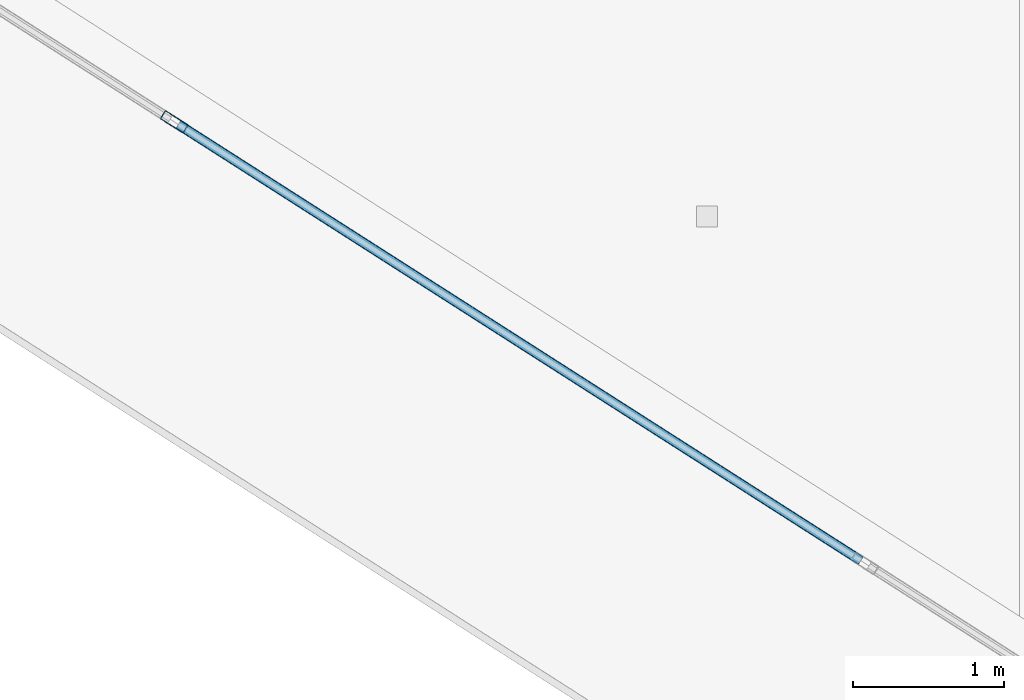
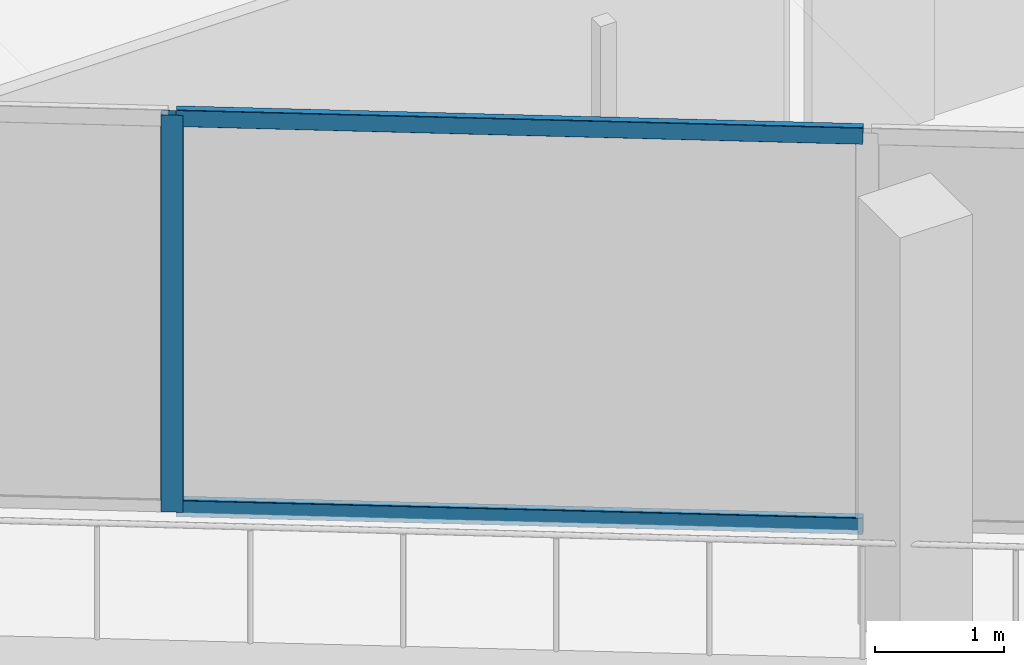
# One storey, part 5 of 45: 3 members, 1 element without a shape of its own.
"""IFC4 building model written with IfcOpenShell, lengths in metres."""

from ifc_helpers import new_model, si_unit, direction, frame, origin, origin_2d, place, context, subcontext, project, spatial, hollow_rectangle, extrude, material, layer, layer_set, material_profile, profile_set, type_object, element, aggregate, save


model = new_model("IFC4")

# Units and contexts
model_context = context("Model", 3, precision=1e-05, world=origin(), true_north=direction((0.0, 1.0)))
body_context = subcontext(model_context, "Body", "Model", "MODEL_VIEW")
ifc_project = project(units=[si_unit("LENGTHUNIT", "METRE"), si_unit("AREAUNIT", "SQUARE_METRE"), si_unit("VOLUMEUNIT", "CUBIC_METRE"), si_unit("PLANEANGLEUNIT", "RADIAN"), si_unit("MASSUNIT", "GRAM", prefix="KILO")], contexts=[model_context])

# Site, building, storey
site_placement = place(None, origin())
site = spatial("IfcSite", under=ifc_project, at=site_placement, CompositionType="ELEMENT")
building_placement = place(site_placement, origin())
building = spatial("IfcBuilding", under=site, at=building_placement, Name="Qorvath Tower", CompositionType="ELEMENT")
storey_placement = place(building_placement, frame((0.0, 0.0, 109.800048828125)))
storey = spatial("IfcBuildingStorey", under=building, at=storey_placement, Name="L24", CompositionType="ELEMENT", Elevation=109.800048828125)

# Curtain wall, members
ifc_material_1 = material(Name="Anodised aluminium and triple low-E glass", Category="aluminium")
ifc_layer = layer(ifc_material_1, 0.179931640625)
ifc_layer_set = layer_set([ifc_layer], Name="CW-SYS-2")
curtain_wall_type = type_object("IfcCurtainWallType", Name="CW-SYS-2", PredefinedType="NOTDEFINED", material=ifc_layer_set)
curtain_wall_placement = place(storey_placement, origin())
curtain_wall = element("IfcCurtainWall", 1, at=curtain_wall_placement, inside=storey, type_object=curtain_wall_type, Name="Curtain Wall CW-2 CW-T-L24-2.1", PredefinedType="NOTDEFINED")
ifc_material_2 = material(Name="Anodised aluminium 6063-T6", Category="aluminium")
ifc_material_profile_1 = material_profile(ifc_material_2, hollow_rectangle(XDim=0.06494140625, YDim=0.179931640625, WallThickness=0.00341796875, InnerFilletRadius=0.00341796875, OuterFilletRadius=0.007080078125, at=origin_2d()), Name="CWM 180x65")
ifc_profile_set_1 = profile_set([ifc_material_profile_1], Name="Anodised aluminium 6063-T6")
member_type_1 = type_object("IfcMemberType", Name="CWM-180", PredefinedType="MULLION", material=ifc_profile_set_1)
member_1_placement = place(storey_placement, frame((-44.50830078125, -12.629638671875, 0.0), z_axis=(0.0, 0.0, 1.0), x_axis=(0.538529946269, 0.84260637131, 0.0)))
member_1 = element("IfcMember", 2, at=member_1_placement, type_object=member_type_1, Name="CW-2 mullion 4", PredefinedType="MULLION", context=body_context, shape_type="SweptSolid", body=[
    extrude(hollow_rectangle(XDim=0.06494140625, YDim=0.179931640625, WallThickness=0.00341796875, InnerFilletRadius=0.00341796875, OuterFilletRadius=0.007080078125, at=origin_2d()), origin(), (0.0, 0.0, 1.0), 3.77001953125),
])
ifc_material_3 = material(Name="Anodised aluminium 6063-T6", Category="aluminium")
ifc_material_profile_2 = material_profile(ifc_material_3, hollow_rectangle(XDim=0.06494140625, YDim=0.159912109375, WallThickness=0.00341796875, InnerFilletRadius=0.00341796875, OuterFilletRadius=0.007080078125, at=origin_2d()), Name="CWT 160x65")
ifc_profile_set_2 = profile_set([ifc_material_profile_2], Name="Anodised aluminium 6063-T6")
member_type_2 = type_object("IfcMemberType", Name="CWT-160", PredefinedType="USERDEFINED", material=ifc_profile_set_2)
member_2_placement = place(storey_placement, frame((-44.48095703125, -12.64697265625, 0.032470703125), z_axis=(0.842599583756, -0.538540566211, 0.0), x_axis=(0.538540566211, 0.842599583756, 0.0)))
member_2 = element("IfcMember", 3, at=member_2_placement, type_object=member_type_2, Name="CW-2 transom 4.1", ObjectType="TRANSOM", PredefinedType="USERDEFINED", context=body_context, shape_type="SweptSolid", body=[
    extrude(hollow_rectangle(XDim=0.06494140625, YDim=0.159912109375, WallThickness=0.00341796875, InnerFilletRadius=0.00341796875, OuterFilletRadius=0.007080078125, at=origin_2d()), origin(), (0.0, 0.0, 1.0), 5.34765625),
])
member_3_placement = place(storey_placement, frame((-44.48095703125, -12.64697265625, 3.737548828125), z_axis=(0.842599583756, -0.538540566211, 0.0), x_axis=(0.538540566211, 0.842599583756, 0.0)))
member_3 = element("IfcMember", 4, at=member_3_placement, type_object=member_type_2, Name="CW-2 transom 4.2", ObjectType="TRANSOM", PredefinedType="USERDEFINED", context=body_context, shape_type="SweptSolid", body=[
    extrude(hollow_rectangle(XDim=0.06494140625, YDim=0.159912109375, WallThickness=0.00341796875, InnerFilletRadius=0.00341796875, OuterFilletRadius=0.007080078125, at=origin_2d()), origin(), (0.0, 0.0, 1.0), 5.34765625),
])
aggregate(curtain_wall, [member_1, member_2, member_3])

save(model, "model.ifc")
